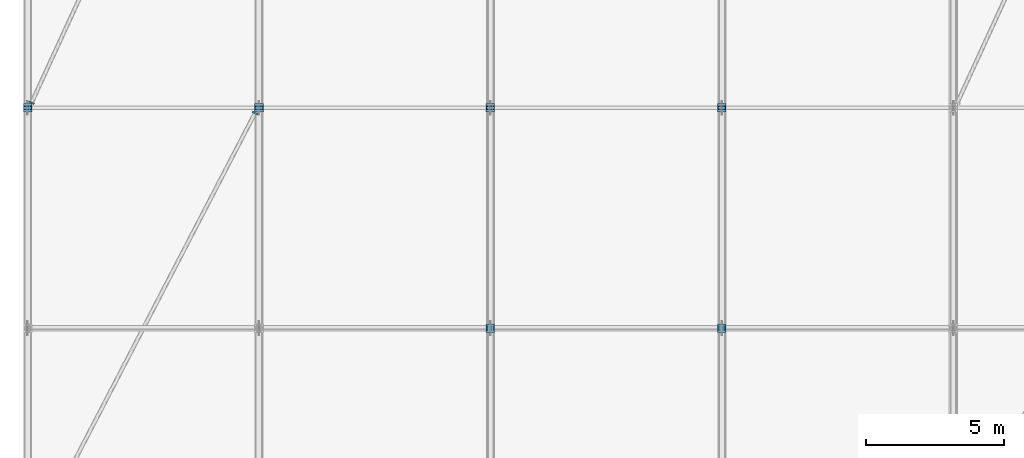
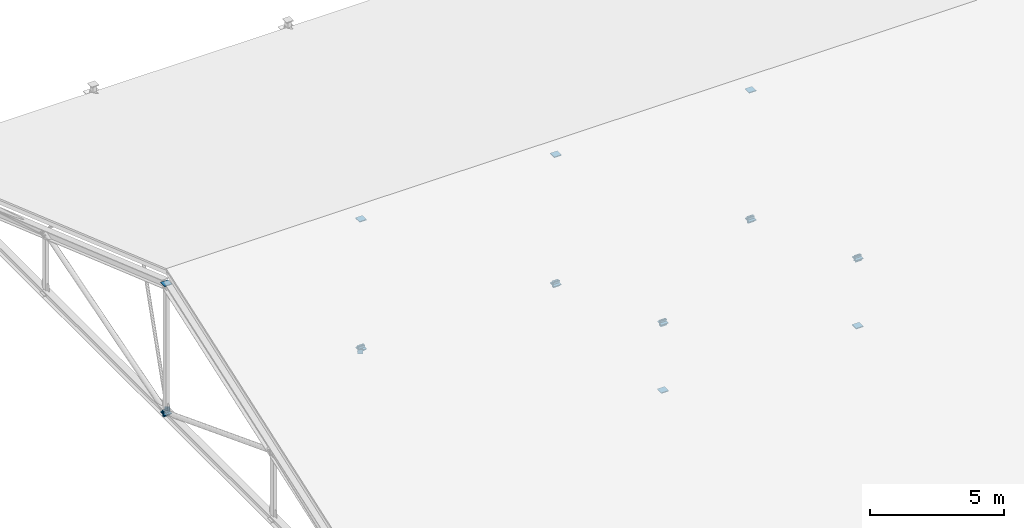
# One storey, part 42 of 57: 26 discrete accessories.
"""IFC4 building model written with IfcOpenShell, lengths in metres."""

from ifc_helpers import new_model, si_unit, direction, frame, origin, origin_2d, place, context, subcontext, project, spatial, rectangle, extrude, material, material_profile, profile_set, type_object, element, save


model = new_model("IFC4")

# Units and contexts
model_context = context("Model", 3, precision=1e-05, world=origin(), true_north=direction((0.0, 1.0)))
body_context = subcontext(model_context, "Body", "Model", "MODEL_VIEW")
ifc_project = project(units=[si_unit("LENGTHUNIT", "METRE"), si_unit("AREAUNIT", "SQUARE_METRE"), si_unit("VOLUMEUNIT", "CUBIC_METRE"), si_unit("PLANEANGLEUNIT", "RADIAN"), si_unit("MASSUNIT", "GRAM", prefix="KILO")], contexts=[model_context])

# Site, building, storey
site_placement = place(None, origin())
site = spatial("IfcSite", under=ifc_project, at=site_placement, CompositionType="ELEMENT")
building_placement = place(site_placement, origin())
building = spatial("IfcBuilding", under=site, at=building_placement, Name="Kelarvand Opera House", CompositionType="ELEMENT")
storey_placement = place(building_placement, frame((0.0, 0.0, 33.60009765625)))
storey = spatial("IfcBuildingStorey", under=building, at=storey_placement, Name="Roof", CompositionType="ELEMENT", Elevation=33.60009765625)

# Discrete accessories
ifc_material = material(Name="Steel S355", Category="steel")
ifc_material_profile_1 = material_profile(ifc_material, rectangle(XDim=0.199951171875, YDim=0.199951171875, at=origin_2d()), Name="Welded Steel Hollow End-Cap Plate 200x200x24", Category="steel")
ifc_profile_set_1 = profile_set([ifc_material_profile_1], Name="Steel S355")
discrete_accessory_type_1 = type_object("IfcDiscreteAccessoryType", Name="Welded Steel Hollow End-Cap Plate 200x200x24", PredefinedType="SHOE", material=ifc_profile_set_1)
discrete_accessory_1_placement = place(storey_placement, frame((17.246337890625, 104.79296875, -13.580078125), z_axis=(0.4634975267, 0.886098212809, 0.0), x_axis=(-0.886098212809, 0.4634975267, 0.0)))
element("IfcDiscreteAccessory", 1, at=discrete_accessory_1_placement, inside=storey, type_object=discrete_accessory_type_1, Name="Hollow Section Welded End Cap 688", PredefinedType="SHOE", context=body_context, shape_type="SweptSolid", body=[
    extrude(rectangle(XDim=0.199951171875, YDim=0.199951171875, at=origin_2d()), origin(), (0.0, 0.0, 1.0), 0.035888671875),
])
discrete_accessory_2_placement = place(storey_placement, frame((9.1533203125, 105.207275390625, -13.580078125), z_axis=(-0.419916986117, -0.907562518381, 0.0), x_axis=(0.907562518381, -0.419916986117, 0.0)))
element("IfcDiscreteAccessory", 2, at=discrete_accessory_2_placement, inside=storey, type_object=discrete_accessory_type_1, Name="Hollow Section Welded End Cap 689", PredefinedType="SHOE", context=body_context, shape_type="SweptSolid", body=[
    extrude(rectangle(XDim=0.199951171875, YDim=0.199951171875, at=origin_2d()), origin(), (0.0, 0.0, 1.0), 0.0361328125),
])
ifc_material_profile_2 = material_profile(ifc_material, rectangle(XDim=0.279052734375, YDim=0.279052734375, at=origin_2d()), Name="Welded Steel Hollow End-Cap Plate 279x279x24", Category="steel")
ifc_profile_set_2 = profile_set([ifc_material_profile_2], Name="Steel S355")
discrete_accessory_type_2 = type_object("IfcDiscreteAccessoryType", Name="Welded Steel Hollow End-Cap Plate 279x279x24", PredefinedType="SHOE", material=ifc_profile_set_2)
for number, where, z_axis, x_axis, name in (
    (3, (9.0, 104.992431640625, -13.5771484375), (0.0, 0.933519842428, -0.358525736585), (-1.0, 0.0, 0.0), "Hollow Section Welded End Cap 554"),
    (4, (9.0, 105.0078125, -13.577880859375), (0.0, -0.958934255811, -0.28362844186), (1.0, 0.0, 0.0), "Hollow Section Welded End Cap 555"),
    (5, (17.39990234375, 104.992431640625, -13.5771484375), (0.0, 0.933519842428, -0.358525736585), (-1.0, 0.0, 0.0), "Hollow Section Welded End Cap 578"),
    (6, (17.39990234375, 105.0078125, -13.577880859375), (0.0, -0.958934255811, -0.28362844186), (1.0, 0.0, 0.0), "Hollow Section Welded End Cap 579"),
    (7, (25.800048828125, 96.992431640625, -10.505859375), (0.0, 0.931242779706, 0.364399348581), (-1.0, 0.0, 0.0), "Hollow Section Welded End Cap 600"),
    (8, (25.800048828125, 97.007568359375, -10.505859375), (0.0, -0.931242779706, 0.364399348581), (1.0, 0.0, 0.0), "Hollow Section Welded End Cap 601"),
    (9, (25.800048828125, 104.992431640625, -13.5771484375), (0.0, 0.933519842428, -0.358525736585), (-1.0, 0.0, 0.0), "Hollow Section Welded End Cap 602"),
    (10, (25.800048828125, 105.0078125, -13.577880859375), (0.0, -0.958934255811, -0.28362844186), (1.0, 0.0, 0.0), "Hollow Section Welded End Cap 603"),
    (11, (34.199951171875, 96.992431640625, -10.505859375), (0.0, 0.931242779706, 0.364399348581), (-1.0, 0.0, 0.0), "Hollow Section Welded End Cap 624"),
    (12, (34.199951171875, 97.007568359375, -10.505859375), (0.0, -0.931242779706, 0.364399348581), (1.0, 0.0, 0.0), "Hollow Section Welded End Cap 625"),
    (13, (34.199951171875, 104.992431640625, -13.5771484375), (0.0, 0.933519842428, -0.358525736585), (-1.0, 0.0, 0.0), "Hollow Section Welded End Cap 626"),
    (14, (34.199951171875, 105.0078125, -13.577880859375), (0.0, -0.958934255811, -0.28362844186), (1.0, 0.0, 0.0), "Hollow Section Welded End Cap 627"),
):
    element("IfcDiscreteAccessory", number, at=place(storey_placement, frame(where, z_axis=z_axis, x_axis=x_axis)), inside=storey, type_object=discrete_accessory_type_2, Name=name, PredefinedType="SHOE", context=body_context, shape_type="SweptSolid", body=[
        extrude(rectangle(XDim=0.279052734375, YDim=0.279052734375, at=origin_2d()), origin(), (0.0, 0.0, 1.0), 0.0361328125),
    ])
ifc_material_profile_3 = material_profile(ifc_material, rectangle(XDim=0.31005859375, YDim=0.31005859375, at=origin_2d()), Name="Welded Steel Hollow End-Cap Plate 310x310x24", Category="steel")
ifc_profile_set_3 = profile_set([ifc_material_profile_3], Name="Steel S355")
discrete_accessory_type_3 = type_object("IfcDiscreteAccessoryType", Name="Welded Steel Hollow End-Cap Plate 310x310x24", PredefinedType="SHOE", material=ifc_profile_set_3)
for number, where, z_axis, x_axis, name in (
    (15, (9.0, 105.0, -13.572021484375), (0.0, 0.0, -1.0), (1.0, 0.0, 0.0), "Hollow Section Welded End Cap 561"),
    (16, (9.0, 105.0, -7.7109375), (0.0, 0.0, 1.0), (1.0, 0.0, 0.0), "Hollow Section Welded End Cap 562"),
    (17, (17.39990234375, 105.0, -13.572021484375), (0.0, 0.0, -1.0), (1.0, 0.0, 0.0), "Hollow Section Welded End Cap 585"),
    (18, (17.39990234375, 105.0, -7.7109375), (0.0, 0.0, 1.0), (1.0, 0.0, 0.0), "Hollow Section Welded End Cap 586"),
    (19, (25.800048828125, 97.0, -13.572021484375), (0.0, 0.0, -1.0), (1.0, 0.0, 0.0), "Hollow Section Welded End Cap 607"),
    (20, (25.800048828125, 97.0, -10.510986328125), (0.0, 0.0, 1.0), (1.0, 0.0, 0.0), "Hollow Section Welded End Cap 608"),
    (21, (25.800048828125, 105.0, -13.572021484375), (0.0, 0.0, -1.0), (1.0, 0.0, 0.0), "Hollow Section Welded End Cap 609"),
    (22, (25.800048828125, 105.0, -7.7109375), (0.0, 0.0, 1.0), (1.0, 0.0, 0.0), "Hollow Section Welded End Cap 610"),
    (23, (34.199951171875, 97.0, -13.572021484375), (0.0, 0.0, -1.0), (1.0, 0.0, 0.0), "Hollow Section Welded End Cap 631"),
    (24, (34.199951171875, 97.0, -10.510986328125), (0.0, 0.0, 1.0), (1.0, 0.0, 0.0), "Hollow Section Welded End Cap 632"),
    (25, (34.199951171875, 105.0, -13.572021484375), (0.0, 0.0, -1.0), (1.0, 0.0, 0.0), "Hollow Section Welded End Cap 633"),
    (26, (34.199951171875, 105.0, -7.7109375), (0.0, 0.0, 1.0), (1.0, 0.0, 0.0), "Hollow Section Welded End Cap 634"),
):
    element("IfcDiscreteAccessory", number, at=place(storey_placement, frame(where, z_axis=z_axis, x_axis=x_axis)), inside=storey, type_object=discrete_accessory_type_3, Name=name, PredefinedType="SHOE", context=body_context, shape_type="SweptSolid", body=[
        extrude(rectangle(XDim=0.31005859375, YDim=0.31005859375, at=origin_2d()), origin(), (0.0, 0.0, 1.0), 0.0361328125),
    ])

save(model, "model.ifc")
